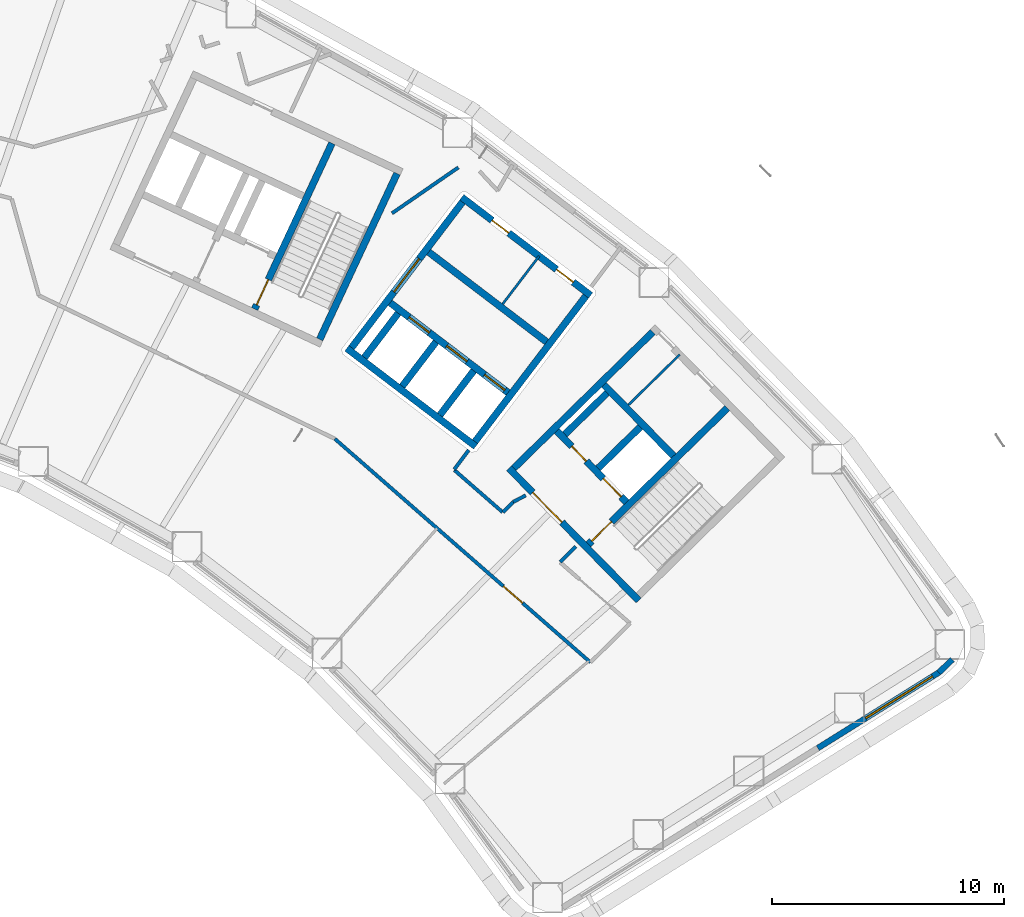
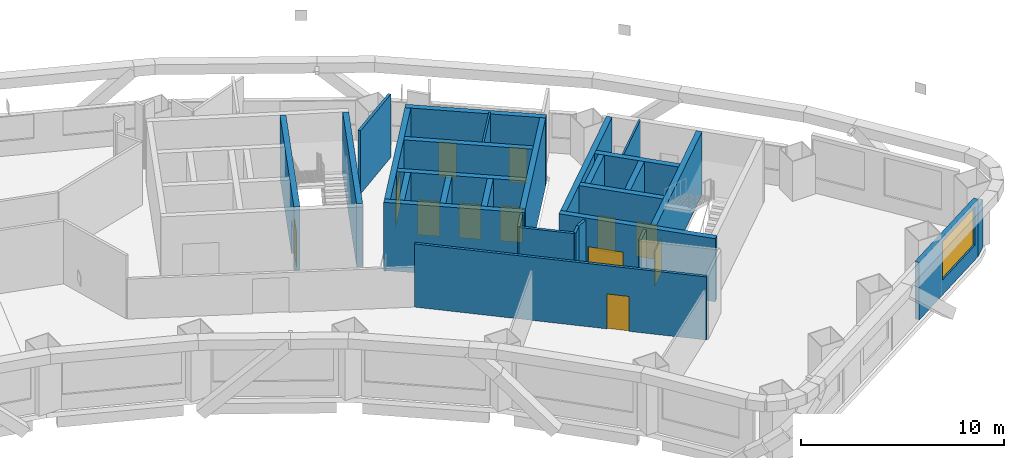
# One storey, part 6 of 19: 29 walls, 12 doors, 1 window, 13 openings.
"""IFC4 building model written with IfcOpenShell, lengths in metres."""

from ifc_helpers import new_model, si_unit, direction, frame, frame_2d, origin, place, context, subcontext, project, spatial, rectangle, extrude, material, layer, layer_set, type_object, element, fill, save


model = new_model("IFC4")

# Units and contexts
model_context = context("Model", 3, precision=1e-05, world=origin(), true_north=direction((0.0, 1.0)))
body_context = subcontext(model_context, "Body", "Model", "MODEL_VIEW")
ifc_project = project(units=[si_unit("LENGTHUNIT", "METRE"), si_unit("AREAUNIT", "SQUARE_METRE"), si_unit("VOLUMEUNIT", "CUBIC_METRE"), si_unit("PLANEANGLEUNIT", "RADIAN"), si_unit("MASSUNIT", "GRAM", prefix="KILO")], contexts=[model_context])

# Site, building, storey
site_placement = place(None, origin())
site = spatial("IfcSite", under=ifc_project, at=site_placement, CompositionType="ELEMENT")
building_placement = place(site_placement, origin())
building = spatial("IfcBuilding", under=site, at=building_placement, Name="Tuul Gate Civic Tower", CompositionType="ELEMENT")
storey_placement = place(building_placement, frame((0.0, 0.0, 56.699951171875)))
storey = spatial("IfcBuildingStorey", under=building, at=storey_placement, Name="Level 12", CompositionType="ELEMENT", Elevation=56.699951171875)

# Wall, opening, door
ifc_material_1 = material(Name="Concrete C50/60", Category="concrete")
ifc_layer_1 = layer(ifc_material_1, 0.300048828125)
ifc_layer_set_1 = layer_set([ifc_layer_1], Name="Concrete C50/60")
wall_type_1 = type_object("IfcWallType", Name="Core wall C50/60", PredefinedType="SHEAR", material=ifc_layer_set_1)
wall_1_placement = place(storey_placement, frame((48.22509765625, -18.327880859375, 0.0), z_axis=(0.0, 0.0, 1.0), x_axis=(-0.700021979774, 0.714121297703, 0.0)))
wall_1 = element("IfcWall", 1, at=wall_1_placement, inside=storey, type_object=wall_type_1, Name="Core wall", PredefinedType="SHEAR", context=body_context, shape_type="SweptSolid", body=[
    extrude(rectangle(XDim=8.0, YDim=0.300048828125, at=frame_2d((4.0, 0.0))), origin(), (0.0, 0.0, 1.0), 3.800048828125),
])
opening_1_placement = place(wall_1_placement, frame((4.72509765625, 0.0, 0.0)))
opening_1 = element("IfcOpeningElement", 2, at=opening_1_placement, cuts=wall_1, Name="Opening LB-E1-LOBBY-1", PredefinedType="OPENING", context=body_context, shape_type="SweptSolid", body=[
    extrude(rectangle(XDim=1.800048828125, YDim=2.10009765625, at=frame_2d((0.89990234375, 1.050048828125))), frame((0.0, 0.16015625, 0.0), z_axis=(0.0, -1.0, 0.0), x_axis=(1.0, 0.0, 0.0)), (0.0, 0.0, 1.0), 0.320068359375),
])
ifc_material_2 = material(Name="Steel", Category="steel")
door_type_1 = type_object("IfcDoorType", Name="Lobby door", OperationType="DOUBLE_DOOR_SINGLE_SWING", PredefinedType="DOOR", material=ifc_material_2)
door_1_placement = place(opening_1_placement, frame((1.800048828125, 0.0, 0.0), z_axis=(0.0, 0.0, 1.0), x_axis=(-1.0, 0.0, 0.0)))
door_1 = element("IfcDoor", 3, at=door_1_placement, inside=storey, type_object=door_type_1, Name="Lobby door E1-LOBBY", OperationType="DOUBLE_DOOR_SINGLE_SWING", OverallHeight=2.10009765625, OverallWidth=1.800048828125, PredefinedType="DOOR", context=body_context, shape_type="SweptSolid", body=[
    extrude(rectangle(XDim=1.800048828125, YDim=2.10009765625, at=frame_2d((0.900146484375, 1.050048828125))), frame((0.0, 0.02490234375, 0.0), z_axis=(0.0, -1.0, 0.0), x_axis=(1.0, 0.0, 0.0)), (0.0, 0.0, 1.0), 0.050048828125),
])
fill(opening_1, door_1)

# Wall, openings, doors
wall_2_placement = place(storey_placement, frame((47.701904296875, -14.079833984375, 0.0), z_axis=(0.0, 0.0, 1.0), x_axis=(-0.700002721075, 0.714140175657, 0.0)))
wall_2 = element("IfcWall", 4, at=wall_2_placement, inside=storey, type_object=wall_type_1, Name="Core wall", PredefinedType="SHEAR", context=body_context, shape_type="SweptSolid", body=[
    extrude(rectangle(XDim=4.300048828125, YDim=0.300048828125, at=frame_2d((2.14990234375, 0.0))), origin(), (0.0, 0.0, 1.0), 3.800048828125),
])
opening_2_placement = place(wall_2_placement, frame((0.324951171875, 0.0, 0.0)))
opening_2 = element("IfcOpeningElement", 5, at=opening_2_placement, cuts=wall_2, Name="Opening LD-L4", PredefinedType="OPENING", context=body_context, shape_type="SweptSolid", body=[
    extrude(rectangle(XDim=1.10009765625, YDim=2.10009765625, at=frame_2d((0.550048828125, 1.050048828125))), frame((0.0, 0.16015625, 0.0), z_axis=(0.0, -1.0, 0.0), x_axis=(1.0, 0.0, 0.0)), (0.0, 0.0, 1.0), 0.320068359375),
])
opening_3_placement = place(wall_2_placement, frame((2.47509765625, 0.0, 0.0)))
opening_3 = element("IfcOpeningElement", 6, at=opening_3_placement, cuts=wall_2, Name="Opening FB-E1A2", PredefinedType="OPENING", context=body_context, shape_type="SweptSolid", body=[
    extrude(rectangle(XDim=0.89990234375, YDim=2.10009765625, at=frame_2d((0.449951171875, 1.050048828125))), frame((0.0, 0.16015625, 0.0), z_axis=(0.0, -1.0, 0.0), x_axis=(1.0, 0.0, 0.0)), (0.0, 0.0, 1.0), 0.320068359375),
])
ifc_material_3 = material(Name="Stainless steel", Category="steel")
door_type_2 = type_object("IfcDoorType", Name="Landing door", OperationType="DOUBLE_DOOR_SLIDING", PredefinedType="DOOR", material=ifc_material_3)
door_2_placement = place(opening_2_placement, origin())
door_2 = element("IfcDoor", 7, at=door_2_placement, inside=storey, type_object=door_type_2, Name="Low-rise lift L4 landing door", OperationType="DOUBLE_DOOR_SLIDING", OverallHeight=2.10009765625, OverallWidth=1.10009765625, PredefinedType="DOOR", context=body_context, shape_type="SweptSolid", body=[
    extrude(rectangle(XDim=1.10009765625, YDim=2.10009765625, at=frame_2d((0.550048828125, 1.050048828125))), frame((0.0, 0.02490234375, 0.0), z_axis=(0.0, -1.0, 0.0), x_axis=(1.0, 0.0, 0.0)), (0.0, 0.0, 1.0), 0.050048828125),
])
fill(opening_2, door_2)
ifc_material_4 = material(Name="Steel", Category="steel")
door_type_3 = type_object("IfcDoorType", Name="Store door", OperationType="NOTDEFINED", PredefinedType="DOOR", material=ifc_material_4)
door_3_placement = place(opening_3_placement, frame((0.89990234375, 0.0, 0.0), z_axis=(0.0, 0.0, 1.0), x_axis=(-1.0, 0.0, 0.0)))
door_3 = element("IfcDoor", 8, at=door_3_placement, inside=storey, type_object=door_type_3, Name="Store door E1A2", OperationType="SINGLE_SWING_LEFT", OverallHeight=2.10009765625, OverallWidth=0.89990234375, PredefinedType="DOOR", context=body_context, shape_type="SweptSolid", body=[
    extrude(rectangle(XDim=0.89990234375, YDim=2.10009765625, at=frame_2d((0.449951171875, 1.050048828125))), frame((0.0, 0.02490234375, 0.0), z_axis=(0.0, -1.0, 0.0), x_axis=(1.0, 0.0, 0.0)), (0.0, 0.0, 1.0), 0.050048828125),
])
fill(opening_3, door_3)

# Wall
wall_3_placement = place(storey_placement, frame((49.737060546875, -12.0849609375, 0.0), z_axis=(0.0, 0.0, 1.0), x_axis=(-0.700002721075, 0.714140175657, 0.0)))
element("IfcWall", 9, at=wall_3_placement, inside=storey, type_object=wall_type_1, Name="Core wall", PredefinedType="SHEAR", context=body_context, shape_type="SweptSolid", body=[
    extrude(rectangle(XDim=4.300048828125, YDim=0.300048828125, at=frame_2d((2.14990234375, 0.0))), origin(), (0.0, 0.0, 1.0), 3.800048828125),
])

# Wall, opening, door
wall_4_placement = place(storey_placement, frame((46.05712890625, -15.902099609375, 0.0), z_axis=(0.0, 0.0, 1.0), x_axis=(0.714134086973, 0.700008932674, 0.0)))
wall_4 = element("IfcWall", 10, at=wall_4_placement, inside=storey, type_object=wall_type_1, Name="Core wall", PredefinedType="SHEAR", context=body_context, shape_type="SweptSolid", body=[
    extrude(rectangle(XDim=8.400146484375, YDim=0.300048828125, at=frame_2d((4.2001953125, 0.0))), origin(), (0.0, 0.0, 1.0), 3.800048828125),
])
opening_4_placement = place(wall_4_placement, frame((0.199951171875, 0.0, 0.0)))
opening_4 = element("IfcOpeningElement", 11, at=opening_4_placement, cuts=wall_4, Name="Opening SD-ST-3", PredefinedType="OPENING", context=body_context, shape_type="SweptSolid", body=[
    extrude(rectangle(XDim=1.199951171875, YDim=2.10009765625, at=frame_2d((0.60009765625, 1.050048828125))), frame((0.0, 0.16015625, 0.0), z_axis=(0.0, -1.0, 0.0), x_axis=(1.0, 0.0, 0.0)), (0.0, 0.0, 1.0), 0.320068359375),
])
ifc_material_5 = material(Name="Steel", Category="steel")
door_type_4 = type_object("IfcDoorType", Name="Stair door", OperationType="NOTDEFINED", PredefinedType="DOOR", material=ifc_material_5)
door_4_placement = place(opening_4_placement, origin())
door_4 = element("IfcDoor", 12, at=door_4_placement, inside=storey, type_object=door_type_4, Name="Stair door ST-3", OperationType="SINGLE_SWING_LEFT", OverallHeight=2.10009765625, OverallWidth=1.199951171875, PredefinedType="DOOR", context=body_context, shape_type="SweptSolid", body=[
    extrude(rectangle(XDim=1.199951171875, YDim=2.10009765625, at=frame_2d((0.60009765625, 1.050048828125))), frame((0.0, 0.02490234375, 0.0), z_axis=(0.0, -1.0, 0.0), x_axis=(1.0, 0.0, 0.0)), (0.0, 0.0, 1.0), 0.050048828125),
])
fill(opening_4, door_4)

# Walls
wall_5_placement = place(storey_placement, frame((46.47900390625, -12.617919921875, 0.0), z_axis=(0.0, 0.0, 1.0), x_axis=(0.71410944159, 0.700034074479, 0.0)))
element("IfcWall", 13, at=wall_5_placement, inside=storey, type_object=wall_type_1, Name="Core wall", PredefinedType="SHEAR", context=body_context, shape_type="SweptSolid", body=[
    extrude(rectangle(XDim=2.5498046875, YDim=0.300048828125, at=frame_2d((1.27490234375, 0.0))), origin(), (0.0, 0.0, 1.0), 3.800048828125),
])
wall_6_placement = place(storey_placement, frame((45.0439453125, -11.154052734375, 0.0), z_axis=(0.0, 0.0, 1.0), x_axis=(0.714108498262, 0.700035036773, 0.0)))
element("IfcWall", 14, at=wall_6_placement, inside=storey, type_object=wall_type_1, Name="Core wall", PredefinedType="SHEAR", context=body_context, shape_type="SweptSolid", body=[
    extrude(rectangle(XDim=2.550048828125, YDim=0.300048828125, at=frame_2d((1.27490234375, 0.0))), origin(), (0.0, 0.0, 1.0), 3.800048828125),
])
wall_7_placement = place(storey_placement, frame((42.837158203125, -12.616943359375, 0.0), z_axis=(0.0, 0.0, 1.0), x_axis=(0.714119844755, 0.700023461983, 0.0)))
element("IfcWall", 15, at=wall_7_placement, inside=storey, type_object=wall_type_1, Name="Core wall", PredefinedType="SHEAR", context=body_context, shape_type="SweptSolid", body=[
    extrude(rectangle(XDim=8.39990234375, YDim=0.300048828125, at=frame_2d((4.199951171875, 0.0))), origin(), (0.0, 0.0, 1.0), 3.800048828125),
])
wall_8_placement = place(storey_placement, frame((34.455810546875, -7.05078125, 0.0), z_axis=(0.0, 0.0, 1.0), x_axis=(0.422570768258, 0.906329932096, 0.0)))
element("IfcWall", 16, at=wall_8_placement, inside=storey, type_object=wall_type_1, Name="Core wall", PredefinedType="SHEAR", context=body_context, shape_type="SweptSolid", body=[
    extrude(rectangle(XDim=7.900146484375, YDim=0.300048828125, at=frame_2d((3.9501953125, 0.0))), origin(), (0.0, 0.0, 1.0), 3.800048828125),
])

# Wall, opening, door
wall_9_placement = place(storey_placement, frame((31.646240234375, -5.740478515625, 0.0), z_axis=(0.0, 0.0, 1.0), x_axis=(0.422582604137, 0.906324413596, 0.0)))
wall_9 = element("IfcWall", 17, at=wall_9_placement, inside=storey, type_object=wall_type_1, Name="Core wall", PredefinedType="SHEAR", context=body_context, shape_type="SweptSolid", body=[
    extrude(rectangle(XDim=7.89990234375, YDim=0.300048828125, at=frame_2d((3.949951171875, 0.0))), origin(), (0.0, 0.0, 1.0), 3.800048828125),
])
opening_5_placement = place(wall_9_placement, frame((0.199951171875, 0.0, 0.0)))
opening_5 = element("IfcOpeningElement", 18, at=opening_5_placement, cuts=wall_9, Name="Opening SD-ST-4", PredefinedType="OPENING", context=body_context, shape_type="SweptSolid", body=[
    extrude(rectangle(XDim=1.199951171875, YDim=2.10009765625, at=frame_2d((0.60009765625, 1.050048828125))), frame((0.0, 0.16015625, 0.0), z_axis=(0.0, -1.0, 0.0), x_axis=(1.0, 0.0, 0.0)), (0.0, 0.0, 1.0), 0.320068359375),
])
door_5_placement = place(opening_5_placement, origin())
door_5 = element("IfcDoor", 19, at=door_5_placement, inside=storey, type_object=door_type_4, Name="Stair door ST-4", OperationType="SINGLE_SWING_LEFT", OverallHeight=2.10009765625, OverallWidth=1.199951171875, PredefinedType="DOOR", context=body_context, shape_type="SweptSolid", body=[
    extrude(rectangle(XDim=1.199951171875, YDim=2.10009765625, at=frame_2d((0.60009765625, 1.050048828125))), frame((0.0, 0.02490234375, 0.0), z_axis=(0.0, -1.0, 0.0), x_axis=(1.0, 0.0, 0.0)), (0.0, 0.0, 1.0), 0.050048828125),
])
fill(opening_5, door_5)

ifc_material_6 = material(Name="Gypsum board partition")
ifc_layer_2 = layer(ifc_material_6, 0.14990234375)
ifc_layer_set_2 = layer_set([ifc_layer_2], Name="Gypsum board partition")
wall_type_2 = type_object("IfcWallType", Name="Corridor wall P150", PredefinedType="PARTITIONING", material=ifc_layer_set_2)
wall_10_placement = place(storey_placement, frame((35.10888671875, -11.346923828125, 0.0), z_axis=(0.0, 0.0, 1.0), x_axis=(0.752737535639, -0.658320744349, 0.0)))
wall_10 = element("IfcWall", 20, at=wall_10_placement, inside=storey, type_object=wall_type_2, Name="p002", PredefinedType="PARTITIONING", context=body_context, shape_type="SweptSolid", body=[
    extrude(rectangle(XDim=14.66650390625, YDim=0.14990234375, at=frame_2d((7.333251953125, 0.0))), origin(), (0.0, 0.0, 1.0), 3.800048828125),
])
opening_6_placement = place(wall_10_placement, frame((9.671630859375, 0.0, 0.0)))
opening_6 = element("IfcOpeningElement", 21, at=opening_6_placement, cuts=wall_10, Name="Opening C-D06", PredefinedType="OPENING", context=body_context, shape_type="SweptSolid", body=[
    extrude(rectangle(XDim=1.10009765625, YDim=2.10009765625, at=frame_2d((0.550048828125, 1.050048828125))), frame((0.0, 0.0849609375, 0.0), z_axis=(0.0, -1.0, 0.0), x_axis=(1.0, 0.0, 0.0)), (0.0, 0.0, 1.0), 0.169921875),
])
ifc_material_7 = material(Name="Timber door leaf", Category="wood")
door_type_5 = type_object("IfcDoorType", Name="Door D11", OperationType="NOTDEFINED", PredefinedType="DOOR", material=ifc_material_7)
door_6_placement = place(opening_6_placement, frame((1.10009765625, 0.0, 0.0), z_axis=(0.0, 0.0, 1.0), x_axis=(-1.0, 0.0, 0.0)))
door_6 = element("IfcDoor", 22, at=door_6_placement, inside=storey, type_object=door_type_5, Name="Door C-D06", OperationType="SINGLE_SWING_LEFT", OverallHeight=2.10009765625, OverallWidth=1.10009765625, PredefinedType="DOOR", context=body_context, shape_type="SweptSolid", body=[
    extrude(rectangle(XDim=1.10009765625, YDim=2.10009765625, at=frame_2d((0.550048828125, 1.050048828125))), frame((0.0, 0.02490234375, 0.0), z_axis=(0.0, -1.0, 0.0), x_axis=(1.0, 0.0, 0.0)), (0.0, 0.0, 1.0), 0.050048828125),
])
fill(opening_6, door_6)

# Walls
wall_11_placement = place(storey_placement, frame((40.270263671875, -12.6962890625, 0.0), z_axis=(0.0, 0.0, 1.0), x_axis=(0.753483477201, -0.657466842955, 0.0)))
element("IfcWall", 23, at=wall_11_placement, inside=storey, type_object=wall_type_2, Name="p004", PredefinedType="PARTITIONING", context=body_context, shape_type="SweptSolid", body=[
    extrude(rectangle(XDim=2.766357421875, YDim=0.14990234375, at=frame_2d((1.38330078125, 0.0))), origin(), (0.0, 0.0, 1.0), 3.800048828125),
])
wall_12_placement = place(storey_placement, frame((44.8466796875, -16.659912109375, 0.0), z_axis=(0.0, 0.0, 1.0), x_axis=(0.710714398113, 0.703480663781, 0.0)))
element("IfcWall", 24, at=wall_12_placement, inside=storey, type_object=wall_type_2, Name="p006", PredefinedType="PARTITIONING", context=body_context, shape_type="SweptSolid", body=[
    extrude(rectangle(XDim=0.945068359375, YDim=0.14990234375, at=frame_2d((0.47265625, 0.0))), origin(), (0.0, 0.0, 1.0), 3.800048828125),
])
wall_13_placement = place(storey_placement, frame((42.809326171875, -14.0732421875, 0.0), z_axis=(0.0, 0.0, 1.0), x_axis=(0.886188428173, 0.463325015267, 0.0)))
element("IfcWall", 25, at=wall_13_placement, inside=storey, type_object=wall_type_2, Name="p007", PredefinedType="PARTITIONING", context=body_context, shape_type="SweptSolid", body=[
    extrude(rectangle(XDim=0.615478515625, YDim=0.14990234375, at=frame_2d((0.3076171875, 0.0))), origin(), (0.0, 0.0, 1.0), 3.800048828125),
])
wall_14_placement = place(storey_placement, frame((42.37890625, -14.517578125, 0.0), z_axis=(0.0, 0.0, 1.0), x_axis=(0.69576976686, 0.718264875602, 0.0)))
element("IfcWall", 26, at=wall_14_placement, inside=storey, type_object=wall_type_2, Name="p008", PredefinedType="PARTITIONING", context=body_context, shape_type="SweptSolid", body=[
    extrude(rectangle(XDim=0.61865234375, YDim=0.14990234375, at=frame_2d((0.309326171875, 0.0))), origin(), (0.0, 0.0, 1.0), 3.800048828125),
])
wall_15_placement = place(storey_placement, frame((40.26708984375, -12.668212890625, 0.0), z_axis=(0.0, 0.0, 1.0), x_axis=(0.599701854121, 0.800223522626, 0.0)))
element("IfcWall", 27, at=wall_15_placement, inside=storey, type_object=wall_type_2, Name="p009", PredefinedType="PARTITIONING", context=body_context, shape_type="SweptSolid", body=[
    extrude(rectangle(XDim=1.04833984375, YDim=0.14990234375, at=frame_2d((0.524169921875, 0.0))), origin(), (0.0, 0.0, 1.0), 3.800048828125),
])
wall_16_placement = place(storey_placement, frame((37.5791015625, -1.60546875, 0.0), z_axis=(0.0, 0.0, 1.0), x_axis=(0.822545454225, 0.568699372018, 0.0)))
element("IfcWall", 28, at=wall_16_placement, inside=storey, type_object=wall_type_2, Name="p014", PredefinedType="PARTITIONING", context=body_context, shape_type="SweptSolid", body=[
    extrude(rectangle(XDim=3.481689453125, YDim=0.14990234375, at=frame_2d((1.74072265625, 0.0))), origin(), (0.0, 0.0, 1.0), 3.800048828125),
])

# Wall, opening, window
ifc_material_8 = material(Name="Precast concrete C40/50", Category="concrete")
ifc_layer_3 = layer(ifc_material_8, 0.25)
ifc_layer_set_3 = layer_set([ifc_layer_3], Name="Precast concrete C40/50")
wall_type_3 = type_object("IfcWallType", Name="External wall", PredefinedType="STANDARD", material=ifc_layer_set_3)
wall_17_placement = place(storey_placement, frame((55.967529296875, -24.703369140625, 0.0), z_axis=(0.0, 0.0, 1.0), x_axis=(0.848042669488, 0.529927948619, 0.0)))
wall_17 = element("IfcWall", 29, at=wall_17_placement, inside=storey, type_object=wall_type_3, Name="External wall", PredefinedType="STANDARD", context=body_context, shape_type="SweptSolid", body=[
    extrude(rectangle(XDim=6.1826171875, YDim=0.25, at=frame_2d((3.09130859375, 0.0))), origin(), (0.0, 0.0, 1.0), 3.449951171875),
])
opening_7_placement = place(wall_17_placement, frame((2.443115234375, 0.0, 0.89990234375)))
opening_7 = element("IfcOpeningElement", 30, at=opening_7_placement, cuts=wall_17, Name="Opening W32", PredefinedType="OPENING", context=body_context, shape_type="SweptSolid", body=[
    extrude(rectangle(XDim=3.39990234375, YDim=2.300048828125, at=frame_2d((1.699951171875, 1.14990234375))), frame((0.0, 0.135009765625, 0.0), z_axis=(0.0, -1.0, 0.0), x_axis=(1.0, 0.0, 0.0)), (0.0, 0.0, 1.0), 0.27001953125),
])
ifc_material_9 = material(Name="Glass", Category="glass")
window_type = type_object("IfcWindowType", Name="Window 3400 x 2300", PartitioningType="SINGLE_PANEL", PredefinedType="WINDOW", material=ifc_material_9)
window_placement = place(opening_7_placement, origin())
window = element("IfcWindow", 31, at=window_placement, inside=storey, type_object=window_type, Name="Window", OverallHeight=2.300048828125, OverallWidth=3.39990234375, PartitioningType="SINGLE_PANEL", PredefinedType="WINDOW", context=body_context, shape_type="SweptSolid", body=[
    extrude(rectangle(XDim=3.39990234375, YDim=2.300048828125, at=frame_2d((1.699951171875, 1.14990234375))), frame((0.0, 0.030029296875, 0.0), z_axis=(0.0, -1.0, 0.0), x_axis=(1.0, 0.0, 0.0)), (0.0, 0.0, 1.0), 0.06005859375),
])
fill(opening_7, window)

# Walls
ifc_material_10 = material(Name="Precast concrete C40/50", Category="concrete")
ifc_layer_4 = layer(ifc_material_10, 0.25)
ifc_layer_set_4 = layer_set([ifc_layer_4], Name="Precast concrete C40/50")
wall_type_4 = type_object("IfcWallType", Name="External wall 2900 HIGH", PredefinedType="STANDARD", material=ifc_layer_set_4)
wall_18_placement = place(storey_placement, frame((61.1904296875, -21.442626953125, 0.0), z_axis=(0.0, 0.0, 1.0), x_axis=(0.722244224905, 0.691638113172, 0.0)))
element("IfcWall", 32, at=wall_18_placement, inside=storey, type_object=wall_type_4, Name="External wall", PredefinedType="STANDARD", context=body_context, shape_type="SweptSolid", body=[
    extrude(rectangle(XDim=0.813720703125, YDim=0.25, at=frame_2d((0.40673828125, 0.0))), origin(), (0.0, 0.0, 1.0), 2.900146484375),
])
ifc_material_11 = material(Name="Concrete C40/50", Category="concrete")
ifc_layer_5 = layer(ifc_material_11, 0.300048828125)
ifc_layer_set_5 = layer_set([ifc_layer_5], Name="Concrete C40/50")
wall_type_5 = type_object("IfcWallType", Name="Lift shaft wall C40/50", PredefinedType="STANDARD", material=ifc_layer_set_5)
wall_19_placement = place(storey_placement, frame((41.19189453125, -11.677734375, -0.300048828125), z_axis=(0.0, 0.0, 1.0), x_axis=(-0.795563000331, 0.605870871147, 0.0)))
element("IfcWall", 33, at=wall_19_placement, inside=storey, type_object=wall_type_5, Name="Shaft wall", PredefinedType="STANDARD", context=body_context, shape_type="SweptSolid", body=[
    extrude(rectangle(XDim=7.000244140625, YDim=0.300048828125, at=frame_2d((3.5, 0.0))), origin(), (0.0, 0.0, 1.0), 4.10009765625),
])

# Wall, openings, doors
wall_20_placement = place(storey_placement, frame((42.5888671875, -9.34765625, -0.300048828125), z_axis=(0.0, 0.0, 1.0), x_axis=(-0.795584062101, 0.605843214149, 0.0)))
wall_20 = element("IfcWall", 34, at=wall_20_placement, inside=storey, type_object=wall_type_5, Name="Shaft wall", PredefinedType="STANDARD", context=body_context, shape_type="SweptSolid", body=[
    extrude(rectangle(XDim=6.400146484375, YDim=0.300048828125, at=frame_2d((3.2001953125, 0.0))), origin(), (0.0, 0.0, 1.0), 4.10009765625),
])
opening_8_placement = place(wall_20_placement, frame((0.175048828125, 0.0, 0.300048828125)))
opening_8 = element("IfcOpeningElement", 35, at=opening_8_placement, cuts=wall_20, Name="Opening LD-L1", PredefinedType="OPENING", context=body_context, shape_type="SweptSolid", body=[
    extrude(rectangle(XDim=1.10009765625, YDim=2.10009765625, at=frame_2d((0.550048828125, 1.050048828125))), frame((0.0, 0.16015625, 0.0), z_axis=(0.0, -1.0, 0.0), x_axis=(1.0, 0.0, 0.0)), (0.0, 0.0, 1.0), 0.320068359375),
])
opening_9_placement = place(wall_20_placement, frame((2.22509765625, 0.0, 0.300048828125)))
opening_9 = element("IfcOpeningElement", 36, at=opening_9_placement, cuts=wall_20, Name="Opening LD-L2", PredefinedType="OPENING", context=body_context, shape_type="SweptSolid", body=[
    extrude(rectangle(XDim=1.10009765625, YDim=2.10009765625, at=frame_2d((0.550048828125, 1.050048828125))), frame((0.0, 0.16015625, 0.0), z_axis=(0.0, -1.0, 0.0), x_axis=(1.0, 0.0, 0.0)), (0.0, 0.0, 1.0), 0.320068359375),
])
opening_10_placement = place(wall_20_placement, frame((4.27490234375, 0.0, 0.300048828125)))
opening_10 = element("IfcOpeningElement", 37, at=opening_10_placement, cuts=wall_20, Name="Opening LD-L3", PredefinedType="OPENING", context=body_context, shape_type="SweptSolid", body=[
    extrude(rectangle(XDim=1.10009765625, YDim=2.10009765625, at=frame_2d((0.550048828125, 1.050048828125))), frame((0.0, 0.16015625, 0.0), z_axis=(0.0, -1.0, 0.0), x_axis=(1.0, 0.0, 0.0)), (0.0, 0.0, 1.0), 0.320068359375),
])
door_7_placement = place(opening_8_placement, origin())
door_7 = element("IfcDoor", 38, at=door_7_placement, inside=storey, type_object=door_type_2, Name="Low-rise lift L1 landing door", OperationType="DOUBLE_DOOR_SLIDING", OverallHeight=2.10009765625, OverallWidth=1.10009765625, PredefinedType="DOOR", context=body_context, shape_type="SweptSolid", body=[
    extrude(rectangle(XDim=1.10009765625, YDim=2.10009765625, at=frame_2d((0.550048828125, 1.050048828125))), frame((0.0, 0.02490234375, 0.0), z_axis=(0.0, -1.0, 0.0), x_axis=(1.0, 0.0, 0.0)), (0.0, 0.0, 1.0), 0.050048828125),
])
fill(opening_8, door_7)
door_8_placement = place(opening_9_placement, origin())
door_8 = element("IfcDoor", 39, at=door_8_placement, inside=storey, type_object=door_type_2, Name="Low-rise lift L2 landing door", OperationType="DOUBLE_DOOR_SLIDING", OverallHeight=2.10009765625, OverallWidth=1.10009765625, PredefinedType="DOOR", context=body_context, shape_type="SweptSolid", body=[
    extrude(rectangle(XDim=1.10009765625, YDim=2.10009765625, at=frame_2d((0.550048828125, 1.050048828125))), frame((0.0, 0.02490234375, 0.0), z_axis=(0.0, -1.0, 0.0), x_axis=(1.0, 0.0, 0.0)), (0.0, 0.0, 1.0), 0.050048828125),
])
fill(opening_9, door_8)
door_9_placement = place(opening_10_placement, origin())
door_9 = element("IfcDoor", 40, at=door_9_placement, inside=storey, type_object=door_type_2, Name="Low-rise lift L3 landing door", OperationType="DOUBLE_DOOR_SLIDING", OverallHeight=2.10009765625, OverallWidth=1.10009765625, PredefinedType="DOOR", context=body_context, shape_type="SweptSolid", body=[
    extrude(rectangle(XDim=1.10009765625, YDim=2.10009765625, at=frame_2d((0.550048828125, 1.050048828125))), frame((0.0, 0.02490234375, 0.0), z_axis=(0.0, -1.0, 0.0), x_axis=(1.0, 0.0, 0.0)), (0.0, 0.0, 1.0), 0.050048828125),
])
fill(opening_10, door_9)

# Wall
wall_21_placement = place(storey_placement, frame((44.254638671875, -7.15966796875, -0.300048828125), z_axis=(0.0, 0.0, 1.0), x_axis=(-0.795565675562, 0.605867358312, 0.0)))
element("IfcWall", 41, at=wall_21_placement, inside=storey, type_object=wall_type_5, Name="Shaft wall", PredefinedType="STANDARD", context=body_context, shape_type="SweptSolid", body=[
    extrude(rectangle(XDim=6.400146484375, YDim=0.300048828125, at=frame_2d((3.2001953125, 0.0))), origin(), (0.0, 0.0, 1.0), 4.10009765625),
])

# Wall, openings, doors
wall_22_placement = place(storey_placement, frame((46.1591796875, -5.1533203125, -0.300048828125), z_axis=(0.0, 0.0, 1.0), x_axis=(-0.795579811045, 0.605848796531, 0.0)))
wall_22 = element("IfcWall", 42, at=wall_22_placement, inside=storey, type_object=wall_type_5, Name="Shaft wall", PredefinedType="STANDARD", context=body_context, shape_type="SweptSolid", body=[
    extrude(rectangle(XDim=7.0, YDim=0.300048828125, at=frame_2d((3.5, 0.0))), origin(), (0.0, 0.0, 1.0), 4.10009765625),
])
opening_11_placement = place(wall_22_placement, frame((0.949951171875, 0.0, 0.0)))
opening_11 = element("IfcOpeningElement", 43, at=opening_11_placement, cuts=wall_22, Name="Opening C-D15", PredefinedType="OPENING", context=body_context, shape_type="SweptSolid", body=[
    extrude(rectangle(XDim=0.89990234375, YDim=2.10009765625, at=frame_2d((0.449951171875, 1.050048828125))), frame((0.0, 0.16015625, 0.0), z_axis=(0.0, -1.0, 0.0), x_axis=(1.0, 0.0, 0.0)), (0.0, 0.0, 1.0), 0.320068359375),
])
opening_12_placement = place(wall_22_placement, frame((4.449951171875, 0.0, 0.0)))
opening_12 = element("IfcOpeningElement", 44, at=opening_12_placement, cuts=wall_22, Name="Opening C-D16", PredefinedType="OPENING", context=body_context, shape_type="SweptSolid", body=[
    extrude(rectangle(XDim=0.89990234375, YDim=2.10009765625, at=frame_2d((0.449951171875, 1.050048828125))), frame((0.0, 0.16015625, 0.0), z_axis=(0.0, -1.0, 0.0), x_axis=(1.0, 0.0, 0.0)), (0.0, 0.0, 1.0), 0.320068359375),
])
ifc_material_12 = material(Name="Timber door leaf", Category="wood")
door_type_6 = type_object("IfcDoorType", Name="Door D09", OperationType="NOTDEFINED", PredefinedType="DOOR", material=ifc_material_12)
door_10_placement = place(opening_11_placement, origin())
door_10 = element("IfcDoor", 45, at=door_10_placement, inside=storey, type_object=door_type_6, Name="Door C-D15", OperationType="SINGLE_SWING_LEFT", OverallHeight=2.10009765625, OverallWidth=0.89990234375, PredefinedType="DOOR", context=body_context, shape_type="SweptSolid", body=[
    extrude(rectangle(XDim=0.89990234375, YDim=2.10009765625, at=frame_2d((0.449951171875, 1.050048828125))), frame((0.0, 0.02490234375, 0.0), z_axis=(0.0, -1.0, 0.0), x_axis=(1.0, 0.0, 0.0)), (0.0, 0.0, 1.0), 0.050048828125),
])
fill(opening_11, door_10)
door_11_placement = place(opening_12_placement, origin())
door_11 = element("IfcDoor", 46, at=door_11_placement, inside=storey, type_object=door_type_6, Name="Door C-D16", OperationType="SINGLE_SWING_RIGHT", OverallHeight=2.10009765625, OverallWidth=0.89990234375, PredefinedType="DOOR", context=body_context, shape_type="SweptSolid", body=[
    extrude(rectangle(XDim=0.89990234375, YDim=2.10009765625, at=frame_2d((0.449951171875, 1.050048828125))), frame((0.0, 0.02490234375, 0.0), z_axis=(0.0, -1.0, 0.0), x_axis=(1.0, 0.0, 0.0)), (0.0, 0.0, 1.0), 0.050048828125),
])
fill(opening_12, door_11)

# Walls
wall_23_placement = place(storey_placement, frame((41.163330078125, -11.46728515625, -0.300048828125), z_axis=(0.0, 0.0, 1.0), x_axis=(0.605784332699, 0.795628897324, 0.0)))
element("IfcWall", 47, at=wall_23_placement, inside=storey, type_object=wall_type_5, Name="Shaft wall", PredefinedType="STANDARD", context=body_context, shape_type="SweptSolid", body=[
    extrude(rectangle(XDim=7.89990234375, YDim=0.300048828125, at=frame_2d((3.949951171875, 0.0))), origin(), (0.0, 0.0, 1.0), 4.10009765625),
])
wall_24_placement = place(storey_placement, frame((39.65185546875, -10.31640625, -0.300048828125), z_axis=(0.0, 0.0, 1.0), x_axis=(0.605745892068, 0.79565816419, 0.0)))
element("IfcWall", 48, at=wall_24_placement, inside=storey, type_object=wall_type_5, Name="Shaft wall", PredefinedType="STANDARD", context=body_context, shape_type="SweptSolid", body=[
    extrude(rectangle(XDim=2.400146484375, YDim=0.300048828125, at=frame_2d((1.2001953125, 0.0))), origin(), (0.0, 0.0, 1.0), 4.10009765625),
])
wall_25_placement = place(storey_placement, frame((38.02099609375, -9.07421875, -0.300048828125), z_axis=(0.0, 0.0, 1.0), x_axis=(0.605730519254, 0.795669867498, 0.0)))
element("IfcWall", 49, at=wall_25_placement, inside=storey, type_object=wall_type_5, Name="Shaft wall", PredefinedType="STANDARD", context=body_context, shape_type="SweptSolid", body=[
    extrude(rectangle(XDim=2.399658203125, YDim=0.300048828125, at=frame_2d((1.19970703125, 0.0))), origin(), (0.0, 0.0, 1.0), 4.10009765625),
])
wall_26_placement = place(storey_placement, frame((36.389892578125, -7.832275390625, -0.300048828125), z_axis=(0.0, 0.0, 1.0), x_axis=(0.605745892068, 0.79565816419, 0.0)))
element("IfcWall", 50, at=wall_26_placement, inside=storey, type_object=wall_type_5, Name="Shaft wall", PredefinedType="STANDARD", context=body_context, shape_type="SweptSolid", body=[
    extrude(rectangle(XDim=2.400146484375, YDim=0.300048828125, at=frame_2d((1.2001953125, 0.0))), origin(), (0.0, 0.0, 1.0), 4.10009765625),
])

# Wall, opening, door
wall_27_placement = place(storey_placement, frame((35.8330078125, -7.408203125, -0.300048828125), z_axis=(0.0, 0.0, 1.0), x_axis=(0.605769437763, 0.795640237967, 0.0)))
wall_27 = element("IfcWall", 51, at=wall_27_placement, inside=storey, type_object=wall_type_5, Name="Shaft wall", PredefinedType="STANDARD", context=body_context, shape_type="SweptSolid", body=[
    extrude(rectangle(XDim=7.900146484375, YDim=0.300048828125, at=frame_2d((3.9501953125, 0.0))), origin(), (0.0, 0.0, 1.0), 4.10009765625),
])
opening_13_placement = place(wall_27_placement, frame((3.02490234375, 0.0, 0.300048828125)))
opening_13 = element("IfcOpeningElement", 52, at=opening_13_placement, cuts=wall_27, Name="Opening LB-E2-LOBBY-1", PredefinedType="OPENING", context=body_context, shape_type="SweptSolid", body=[
    extrude(rectangle(XDim=1.800048828125, YDim=2.10009765625, at=frame_2d((0.89990234375, 1.050048828125))), frame((0.0, 0.16015625, 0.0), z_axis=(0.0, -1.0, 0.0), x_axis=(1.0, 0.0, 0.0)), (0.0, 0.0, 1.0), 0.320068359375),
])
door_12_placement = place(opening_13_placement, frame((1.800048828125, 0.0, 0.0), z_axis=(0.0, 0.0, 1.0), x_axis=(-1.0, 0.0, 0.0)))
door_12 = element("IfcDoor", 53, at=door_12_placement, inside=storey, type_object=door_type_1, Name="Lobby door E2-LOBBY", OperationType="DOUBLE_DOOR_SINGLE_SWING", OverallHeight=2.10009765625, OverallWidth=1.800048828125, PredefinedType="DOOR", context=body_context, shape_type="SweptSolid", body=[
    extrude(rectangle(XDim=1.800048828125, YDim=2.10009765625, at=frame_2d((0.900146484375, 1.050048828125))), frame((0.0, 0.02490234375, 0.0), z_axis=(0.0, -1.0, 0.0), x_axis=(1.0, 0.0, 0.0)), (0.0, 0.0, 1.0), 0.050048828125),
])
fill(opening_13, door_12)

# Walls
ifc_material_13 = material(Name="Gypsum board partition")
ifc_layer_6 = layer(ifc_material_13, 0.10009765625)
ifc_layer_set_6 = layer_set([ifc_layer_6], Name="Gypsum board partition")
wall_type_6 = type_object("IfcWallType", Name="Partition P100", PredefinedType="PARTITIONING", material=ifc_layer_set_6)
wall_28_placement = place(storey_placement, frame((42.3564453125, -5.525634765625, 0.0), z_axis=(0.0, 0.0, 1.0), x_axis=(0.605768745095, 0.795640765337, 0.0)))
element("IfcWall", 54, at=wall_28_placement, inside=storey, type_object=wall_type_6, Name="bE2-BAND-0", PredefinedType="PARTITIONING", context=body_context, shape_type="SweptSolid", body=[
    extrude(rectangle(XDim=2.599853515625, YDim=0.10009765625, at=frame_2d((1.2998046875, 0.0))), origin(), (0.0, 0.0, 1.0), 3.800048828125),
])
wall_29_placement = place(storey_placement, frame((47.787841796875, -9.882080078125, 0.0), z_axis=(0.0, 0.0, 1.0), x_axis=(0.714119924869, 0.700023380256, 0.0)))
element("IfcWall", 55, at=wall_29_placement, inside=storey, type_object=wall_type_6, Name="bE1-BAND-0", PredefinedType="PARTITIONING", context=body_context, shape_type="SweptSolid", body=[
    extrude(rectangle(XDim=3.10009765625, YDim=0.10009765625, at=frame_2d((1.550048828125, 0.0))), origin(), (0.0, 0.0, 1.0), 3.800048828125),
])

save(model, "model.ifc")
